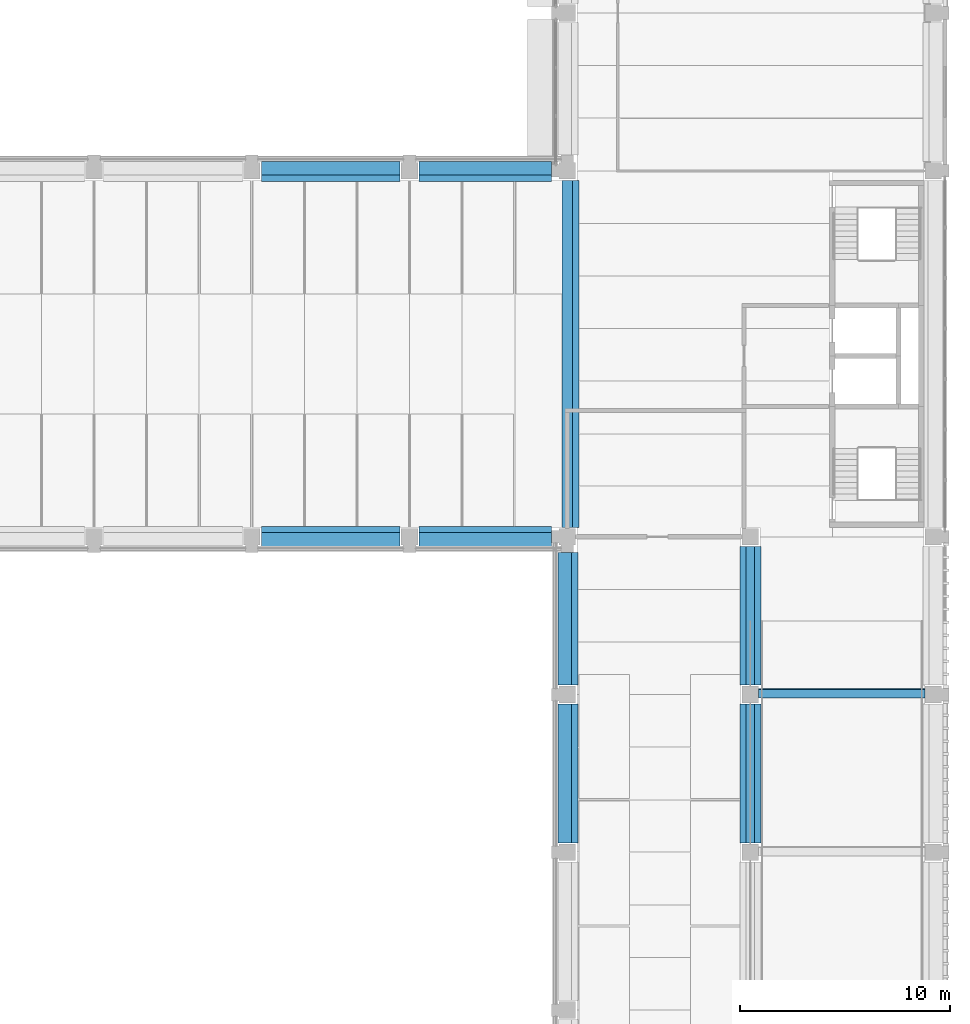
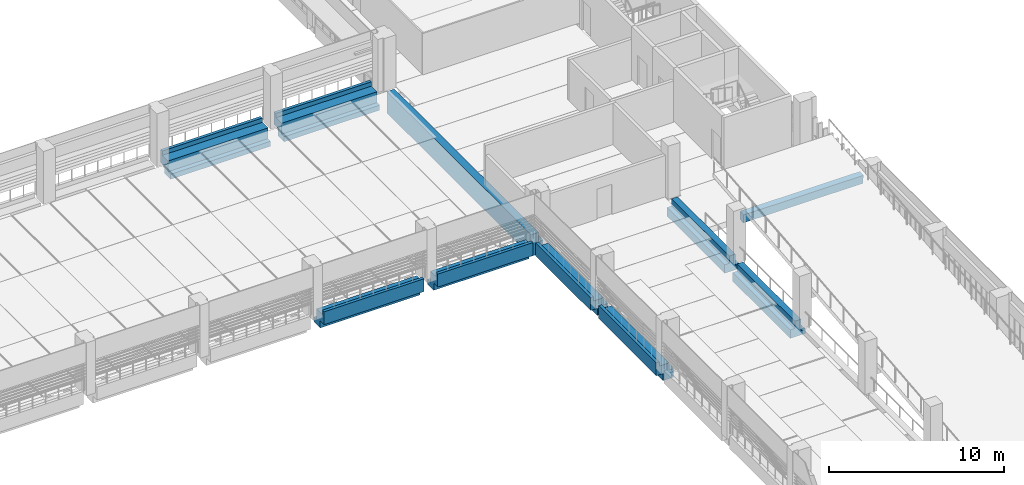
# One storey, part 19 of 61: 10 beams.
"""IFC4 building model written with IfcOpenShell, lengths in metres."""

from ifc_helpers import new_model, si_unit, direction, frame, origin, origin_2d, place, context, subcontext, project, spatial, polyline, rectangle, outline, extrude, material, material_profile, profile_set, type_object, element, save


model = new_model("IFC4")

# Units and contexts
model_context = context("Model", 3, precision=1e-05, world=origin(), true_north=direction((0.0, 1.0)))
body_context = subcontext(model_context, "Body", "Model", "MODEL_VIEW")
ifc_project = project(units=[si_unit("LENGTHUNIT", "METRE"), si_unit("AREAUNIT", "SQUARE_METRE"), si_unit("VOLUMEUNIT", "CUBIC_METRE"), si_unit("PLANEANGLEUNIT", "RADIAN"), si_unit("MASSUNIT", "GRAM", prefix="KILO")], contexts=[model_context])

# Site, building, storey
site_placement = place(None, origin())
site = spatial("IfcSite", under=ifc_project, at=site_placement, CompositionType="ELEMENT")
building_placement = place(site_placement, origin())
building = spatial("IfcBuilding", under=site, at=building_placement, Name="Cour d'Honneur Mobility Palace", CompositionType="ELEMENT")
storey_placement = place(building_placement, frame((0.0, 0.0, 11.89990234375)))
storey = spatial("IfcBuildingStorey", under=building, at=storey_placement, Name="L03", CompositionType="ELEMENT", Elevation=11.89990234375)

# Beams
ifc_material_1 = material(Name="Concrete C45", Category="concrete")
ifc_material_profile_1 = material_profile(ifc_material_1, outline(polyline([(0.5, -1.10009765625), (0.5, -0.5), (0.199951171875, -0.5), (0.199951171875, 0.0), (-0.199951171875, 0.0), (-0.199951171875, -0.800048828125), (-0.5, -0.800048828125), (-0.5, -1.10009765625), (0.5, -1.10009765625)])), Name="Inverted Tee Beam 400x1100 ledges 600/300 plain")
ifc_profile_set_1 = profile_set([ifc_material_profile_1], Name="Concrete C45")
beam_type_1 = type_object("IfcBeamType", Name="Inverted Tee Beam 400x1100 ledges 600/300 plain", PredefinedType="T_BEAM", material=ifc_profile_set_1)
for number, where, z_axis, x_axis, name in (
    (1, (153.60009765625, 30.449951171875, 0.0), (0.0, 1.0, 0.0), (-1.0, 0.0, 0.0), "Precast beam B19 E-F L03"),
    (2, (153.60009765625, 37.949951171875, 0.0), (0.0, 1.0, 0.0), (-1.0, 0.0, 0.0), "Precast beam B19 F-G L03"),
):
    element("IfcBeam", number, at=place(storey_placement, frame(where, z_axis=z_axis, x_axis=x_axis)), inside=storey, type_object=beam_type_1, Name=name, PredefinedType="T_BEAM", context=body_context, shape_type="SweptSolid", body=[
        extrude(outline(polyline([(0.5, -1.10009765625), (0.5, -0.5), (0.199951171875, -0.5), (0.199951171875, 0.0), (-0.199951171875, 0.0), (-0.199951171875, -0.800048828125), (-0.5, -0.800048828125), (-0.5, -1.10009765625), (0.5, -1.10009765625)])), origin(), (0.0, 0.0, 1.0), 6.60009765625),
    ])
ifc_material_2 = material(Name="Concrete C45", Category="concrete")
ifc_material_profile_2 = material_profile(ifc_material_2, outline(polyline([(0.5, -1.10009765625), (0.5, -0.75), (0.199951171875, -0.75), (0.199951171875, 0.0), (-0.199951171875, 0.0), (-0.449951171875, 0.0), (-0.449951171875, 0.300048828125), (-0.64990234375, 0.300048828125), (-0.64990234375, -0.60009765625), (-0.199951171875, -0.60009765625), (-0.199951171875, -1.10009765625), (0.5, -1.10009765625)])), Name="Ledger Beam 400x1100 ledge left 350 facade right")
ifc_profile_set_2 = profile_set([ifc_material_profile_2], Name="Concrete C45")
beam_type_2 = type_object("IfcBeamType", Name="Ledger Beam 400x1100 ledge left 350 facade right", PredefinedType="BEAM", material=ifc_profile_set_2)
beam_1_placement = place(storey_placement, frame((130.35009765625, 45.0, 0.0), z_axis=(1.0, 0.0, 0.0), x_axis=(0.0, 1.0, 0.0)))
element("IfcBeam", 3, at=beam_1_placement, inside=storey, type_object=beam_type_2, Name="Precast beam B2 17-18 L03", PredefinedType="BEAM", context=body_context, shape_type="SweptSolid", body=[
    extrude(outline(polyline([(0.5, -1.10009765625), (0.5, -0.75), (0.199951171875, -0.75), (0.199951171875, 0.0), (-0.199951171875, 0.0), (-0.449951171875, 0.0), (-0.449951171875, 0.300048828125), (-0.64990234375, 0.300048828125), (-0.64990234375, -0.60009765625), (-0.199951171875, -0.60009765625), (-0.199951171875, -1.10009765625), (0.5, -1.10009765625)])), origin(), (0.0, 0.0, 1.0), 6.599853515625),
])
beam_2_placement = place(storey_placement, frame((137.85009765625, 45.0, 0.0), z_axis=(1.0, 0.0, 0.0), x_axis=(0.0, 1.0, 0.0)))
element("IfcBeam", 4, at=beam_2_placement, inside=storey, type_object=beam_type_2, Name="Precast beam B2 18-19 L03", PredefinedType="BEAM", context=body_context, shape_type="SweptSolid", body=[
    extrude(outline(polyline([(0.5, -1.10009765625), (0.5, -0.75), (0.199951171875, -0.75), (0.199951171875, 0.0), (-0.199951171875, 0.0), (-0.449951171875, 0.0), (-0.449951171875, 0.300048828125), (-0.64990234375, 0.300048828125), (-0.64990234375, -0.60009765625), (-0.199951171875, -0.60009765625), (-0.199951171875, -1.10009765625), (0.5, -1.10009765625)])), origin(), (0.0, 0.0, 1.0), 6.2998046875),
])
ifc_material_3 = material(Name="Concrete C45", Category="concrete")
ifc_material_profile_3 = material_profile(ifc_material_3, outline(polyline([(0.199951171875, -1.10009765625), (0.199951171875, -0.60009765625), (0.64990234375, -0.60009765625), (0.64990234375, 0.300048828125), (0.449951171875, 0.300048828125), (0.449951171875, 0.0), (0.199951171875, 0.0), (-0.199951171875, 0.0), (-0.199951171875, -0.75), (-0.5, -0.75), (-0.5, -1.10009765625), (0.199951171875, -1.10009765625)])), Name="Ledger Beam 400x1100 ledge right 350 facade left")
ifc_profile_set_3 = profile_set([ifc_material_profile_3], Name="Concrete C45")
beam_type_3 = type_object("IfcBeamType", Name="Ledger Beam 400x1100 ledge right 350 facade left", PredefinedType="BEAM", material=ifc_profile_set_3)
beam_3_placement = place(storey_placement, frame((130.35009765625, 62.39990234375, 0.0), z_axis=(1.0, 0.0, 0.0), x_axis=(0.0, 1.0, 0.0)))
element("IfcBeam", 5, at=beam_3_placement, inside=storey, type_object=beam_type_3, Name="Precast beam B4 17-18 L03", PredefinedType="BEAM", context=body_context, shape_type="SweptSolid", body=[
    extrude(outline(polyline([(0.199951171875, -1.10009765625), (0.199951171875, -0.60009765625), (0.64990234375, -0.60009765625), (0.64990234375, 0.300048828125), (0.449951171875, 0.300048828125), (0.449951171875, 0.0), (0.199951171875, 0.0), (-0.199951171875, 0.0), (-0.199951171875, -0.75), (-0.5, -0.75), (-0.5, -1.10009765625), (0.199951171875, -1.10009765625)])), origin(), (0.0, 0.0, 1.0), 6.599853515625),
])
beam_4_placement = place(storey_placement, frame((137.85009765625, 62.39990234375, 0.0), z_axis=(1.0, 0.0, 0.0), x_axis=(0.0, 1.0, 0.0)))
element("IfcBeam", 6, at=beam_4_placement, inside=storey, type_object=beam_type_3, Name="Precast beam B4 18-19 L03", PredefinedType="BEAM", context=body_context, shape_type="SweptSolid", body=[
    extrude(outline(polyline([(0.199951171875, -1.10009765625), (0.199951171875, -0.60009765625), (0.64990234375, -0.60009765625), (0.64990234375, 0.300048828125), (0.449951171875, 0.300048828125), (0.449951171875, 0.0), (0.199951171875, 0.0), (-0.199951171875, 0.0), (-0.199951171875, -0.75), (-0.5, -0.75), (-0.5, -1.10009765625), (0.199951171875, -1.10009765625)])), origin(), (0.0, 0.0, 1.0), 6.2998046875),
])
ifc_material_4 = material(Name="Concrete C45", Category="concrete")
ifc_material_profile_4 = material_profile(ifc_material_4, outline(polyline([(0.199951171875, -1.10009765625), (0.199951171875, -0.60009765625), (0.64990234375, -0.60009765625), (0.64990234375, 0.300048828125), (0.449951171875, 0.300048828125), (0.449951171875, 0.0), (0.199951171875, 0.0), (-0.199951171875, 0.0), (-0.199951171875, -0.5), (-0.5, -0.5), (-0.5, -1.10009765625), (0.199951171875, -1.10009765625)])), Name="Ledger Beam 400x1100 ledge right 600 facade left")
ifc_profile_set_4 = profile_set([ifc_material_profile_4], Name="Concrete C45")
beam_type_4 = type_object("IfcBeamType", Name="Ledger Beam 400x1100 ledge right 600 facade left", PredefinedType="BEAM", material=ifc_profile_set_4)
beam_5_placement = place(storey_placement, frame((144.89990234375, 30.449951171875, 0.0), z_axis=(0.0, 1.0, 0.0), x_axis=(-1.0, 0.0, 0.0)))
element("IfcBeam", 7, at=beam_5_placement, inside=storey, type_object=beam_type_4, Name="Precast beam B15 E-F L03", PredefinedType="BEAM", context=body_context, shape_type="SweptSolid", body=[
    extrude(outline(polyline([(0.199951171875, -1.10009765625), (0.199951171875, -0.60009765625), (0.64990234375, -0.60009765625), (0.64990234375, 0.300048828125), (0.449951171875, 0.300048828125), (0.449951171875, 0.0), (0.199951171875, 0.0), (-0.199951171875, 0.0), (-0.199951171875, -0.5), (-0.5, -0.5), (-0.5, -1.10009765625), (0.199951171875, -1.10009765625)])), origin(), (0.0, 0.0, 1.0), 6.60009765625),
])
beam_6_placement = place(storey_placement, frame((144.89990234375, 37.949951171875, 0.0), z_axis=(0.0, 1.0, 0.0), x_axis=(-1.0, 0.0, 0.0)))
element("IfcBeam", 8, at=beam_6_placement, inside=storey, type_object=beam_type_4, Name="Precast beam B15 F-G L03", PredefinedType="BEAM", context=body_context, shape_type="SweptSolid", body=[
    extrude(outline(polyline([(0.199951171875, -1.10009765625), (0.199951171875, -0.60009765625), (0.64990234375, -0.60009765625), (0.64990234375, 0.300048828125), (0.449951171875, 0.300048828125), (0.449951171875, 0.0), (0.199951171875, 0.0), (-0.199951171875, 0.0), (-0.199951171875, -0.5), (-0.5, -0.5), (-0.5, -1.10009765625), (0.199951171875, -1.10009765625)])), origin(), (0.0, 0.0, 1.0), 6.300048828125),
])
ifc_material_5 = material(Name="Concrete C45", Category="concrete")
ifc_material_profile_5 = material_profile(ifc_material_5, outline(polyline([(0.25, -1.5), (0.25, 0.0), (-0.25, 0.0), (-0.25, -0.64990234375), (-0.550048828125, -0.64990234375), (-0.550048828125, -1.5), (0.25, -1.5)])), Name="Ledger Beam 500x1500 ledge right 850 plain")
ifc_profile_set_5 = profile_set([ifc_material_profile_5], Name="Concrete C45")
beam_type_5 = type_object("IfcBeamType", Name="Ledger Beam 500x1500 ledge right 850 plain", PredefinedType="BEAM", material=ifc_profile_set_5)
beam_7_placement = place(storey_placement, frame((144.89990234375, 45.449951171875, 0.0), z_axis=(0.0, 1.0, 0.0), x_axis=(-1.0, 0.0, 0.0)))
element("IfcBeam", 9, at=beam_7_placement, inside=storey, type_object=beam_type_5, Name="Precast beam B16 G-H L03", PredefinedType="BEAM", context=body_context, shape_type="SweptSolid", body=[
    extrude(outline(polyline([(0.25, -1.5), (0.25, 0.0), (-0.25, 0.0), (-0.25, -0.64990234375), (-0.550048828125, -0.64990234375), (-0.550048828125, -1.5), (0.25, -1.5)])), origin(), (0.0, 0.0, 1.0), 16.5),
])
ifc_material_6 = material(Name="Concrete C40", Category="concrete")
ifc_material_profile_6 = material_profile(ifc_material_6, rectangle(XDim=0.39990234375, YDim=0.60009765625, at=origin_2d()), Name="Ramp cross beam 400x600")
ifc_profile_set_6 = profile_set([ifc_material_profile_6], Name="Concrete C40")
beam_type_6 = type_object("IfcBeamType", Name="Ramp cross beam 400x600", PredefinedType="BEAM", material=ifc_profile_set_6)
beam_8_placement = place(storey_placement, frame((161.89990234375, 37.559814453125, 2.753173828125), z_axis=(-1.0, 0.0, 0.0), x_axis=(0.0, -0.995037190449, -0.099503716633)))
element("IfcBeam", 10, at=beam_8_placement, inside=storey, type_object=beam_type_6, Name="Ramp cross beam SE.R3-5", PredefinedType="BEAM", context=body_context, shape_type="SweptSolid", body=[
    extrude(rectangle(XDim=0.39990234375, YDim=0.60009765625, at=origin_2d()), origin(), (0.0, 0.0, 1.0), 7.89990234375),
])

save(model, "model.ifc")
